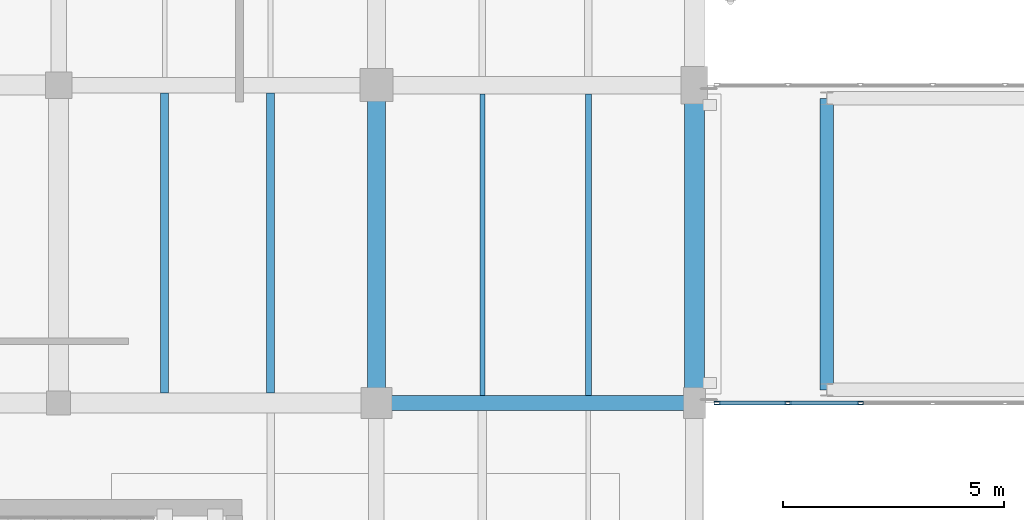
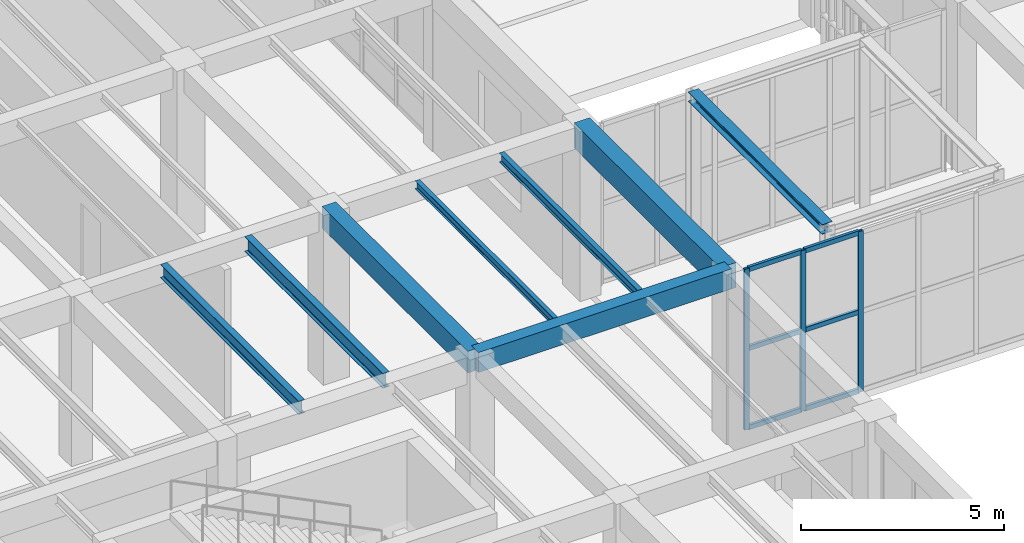
# One storey, part 22 of 169: 9 members, 8 beams, 1 element without a shape of its own.
"""IFC4 building model written with IfcOpenShell, lengths in metres."""

from ifc_helpers import new_model, si_unit, direction, frame, origin, origin_2d, place, context, subcontext, project, spatial, rectangle, hollow_rectangle, i_section, extrude, material, layer, layer_set, material_profile, profile_set, type_object, element, aggregate, save


model = new_model("IFC4")

# Units and contexts
model_context = context("Model", 3, precision=1e-05, world=origin(), true_north=direction((0.0, 1.0)))
body_context = subcontext(model_context, "Body", "Model", "MODEL_VIEW")
ifc_project = project(units=[si_unit("LENGTHUNIT", "METRE"), si_unit("AREAUNIT", "SQUARE_METRE"), si_unit("VOLUMEUNIT", "CUBIC_METRE"), si_unit("PLANEANGLEUNIT", "RADIAN"), si_unit("MASSUNIT", "GRAM", prefix="KILO")], contexts=[model_context])

# Site, building, storey
site_placement = place(None, origin())
site = spatial("IfcSite", under=ifc_project, at=site_placement, CompositionType="ELEMENT")
building_placement = place(site_placement, origin())
building = spatial("IfcBuilding", under=site, at=building_placement, Name="Mazaris Harbour Polytechnic", CompositionType="ELEMENT")
storey_placement = place(building_placement, origin())
storey = spatial("IfcBuildingStorey", under=building, at=storey_placement, Name="L00", CompositionType="ELEMENT", Elevation=0.0)

# Curtain wall, members
ifc_material_1 = material(Name="Anodised Bronze Aluminium and Low-E Glass", Category="aluminium")
ifc_layer = layer(ifc_material_1, 0.139892578125, Name="Anodised Bronze Aluminium and Low-E Glass")
ifc_layer_set = layer_set([ifc_layer], Name="Anodised Bronze Aluminium and Low-E Glass")
curtain_wall_type = type_object("IfcCurtainWallType", Name="Seismic Link Bridge Glazing", PredefinedType="NOTDEFINED", material=ifc_layer_set)
curtain_wall_placement = place(storey_placement, origin())
curtain_wall = element("IfcCurtainWall", 1, at=curtain_wall_placement, inside=storey, type_object=curtain_wall_type, Name="PB-W1 L00 Bridge Glazing", PredefinedType="NOTDEFINED")
ifc_material_2 = material(Name="Anodised Bronze Steel S355", Category="steel")
ifc_material_profile_1 = material_profile(ifc_material_2, hollow_rectangle(XDim=0.080078125, YDim=0.139892578125, WallThickness=0.00634765625, at=origin_2d()), Name="RHS 80x140x6.3")
ifc_profile_set_1 = profile_set([ifc_material_profile_1], Name="Anodised Bronze Steel S355")
member_type_1 = type_object("IfcMemberType", Name="Curtain Mullion RHS80x140", PredefinedType="MULLION", material=ifc_profile_set_1)
member_1_placement = place(storey_placement, frame((43.719970703125, 21.60009765625, 0.0), z_axis=(0.0, 0.0, 1.0), x_axis=(0.0, 1.0, 0.0)))
member_1 = element("IfcMember", 2, at=member_1_placement, type_object=member_type_1, Name="CW-05 mullion 1", PredefinedType="MULLION", context=body_context, shape_type="SweptSolid", body=[
    extrude(hollow_rectangle(XDim=0.080078125, YDim=0.139892578125, WallThickness=0.00634765625, at=origin_2d()), origin(), (0.0, 0.0, 1.0), 4.8349609375),
])
member_2_placement = place(storey_placement, frame((45.320068359375, 21.60009765625, 0.0), z_axis=(0.0, 0.0, 1.0), x_axis=(0.0, 1.0, 0.0)))
member_2 = element("IfcMember", 3, at=member_2_placement, type_object=member_type_1, Name="CW-05 mullion 2", PredefinedType="MULLION", context=body_context, shape_type="SweptSolid", body=[
    extrude(hollow_rectangle(XDim=0.080078125, YDim=0.139892578125, WallThickness=0.00634765625, at=origin_2d()), origin(), (0.0, 0.0, 1.0), 4.8349609375),
])
member_3_placement = place(storey_placement, frame((46.9599609375, 21.60009765625, 0.0), z_axis=(0.0, 0.0, 1.0), x_axis=(0.0, 1.0, 0.0)))
member_3 = element("IfcMember", 4, at=member_3_placement, type_object=member_type_1, Name="CW-05 mullion 3", PredefinedType="MULLION", context=body_context, shape_type="SweptSolid", body=[
    extrude(hollow_rectangle(XDim=0.080078125, YDim=0.139892578125, WallThickness=0.00634765625, at=origin_2d()), origin(), (0.0, 0.0, 1.0), 4.8349609375),
])
ifc_material_3 = material(Name="Anodised Bronze Steel S355", Category="steel")
ifc_material_profile_2 = material_profile(ifc_material_3, hollow_rectangle(XDim=0.080078125, YDim=0.139892578125, WallThickness=0.00634765625, at=origin_2d()), Name="RHS 80x140x6.3")
ifc_profile_set_2 = profile_set([ifc_material_profile_2], Name="Anodised Bronze Steel S355")
member_type_2 = type_object("IfcMemberType", Name="Curtain Transom RHS80x140", PredefinedType="USERDEFINED", material=ifc_profile_set_2)
member_4_placement = place(storey_placement, frame((43.760009765625, 21.60009765625, 0.0400390625), z_axis=(1.0, 0.0, 0.0), x_axis=(0.0, 1.0, 0.0)))
member_4 = element("IfcMember", 5, at=member_4_placement, type_object=member_type_2, Name="CW-05 transom 1.1", ObjectType="TRANSOM", PredefinedType="USERDEFINED", context=body_context, shape_type="SweptSolid", body=[
    extrude(hollow_rectangle(XDim=0.080078125, YDim=0.139892578125, WallThickness=0.00634765625, at=origin_2d()), origin(), (0.0, 0.0, 1.0), 1.52001953125),
])
member_5_placement = place(storey_placement, frame((43.760009765625, 21.60009765625, 2.41748046875), z_axis=(1.0, 0.0, 0.0), x_axis=(0.0, 1.0, 0.0)))
member_5 = element("IfcMember", 6, at=member_5_placement, type_object=member_type_2, Name="CW-05 transom 1.2", ObjectType="TRANSOM", PredefinedType="USERDEFINED", context=body_context, shape_type="SweptSolid", body=[
    extrude(hollow_rectangle(XDim=0.080078125, YDim=0.139892578125, WallThickness=0.00634765625, at=origin_2d()), origin(), (0.0, 0.0, 1.0), 1.52001953125),
])
member_6_placement = place(storey_placement, frame((43.760009765625, 21.60009765625, 4.794921875), z_axis=(1.0, 0.0, 0.0), x_axis=(0.0, 1.0, 0.0)))
member_6 = element("IfcMember", 7, at=member_6_placement, type_object=member_type_2, Name="CW-05 transom 1.3", ObjectType="TRANSOM", PredefinedType="USERDEFINED", context=body_context, shape_type="SweptSolid", body=[
    extrude(hollow_rectangle(XDim=0.080078125, YDim=0.139892578125, WallThickness=0.00634765625, at=origin_2d()), origin(), (0.0, 0.0, 1.0), 1.52001953125),
])
member_7_placement = place(storey_placement, frame((45.360107421875, 21.60009765625, 0.0400390625), z_axis=(1.0, 0.0, 0.0), x_axis=(0.0, 1.0, 0.0)))
member_7 = element("IfcMember", 8, at=member_7_placement, type_object=member_type_2, Name="CW-05 transom 2.1", ObjectType="TRANSOM", PredefinedType="USERDEFINED", context=body_context, shape_type="SweptSolid", body=[
    extrude(hollow_rectangle(XDim=0.080078125, YDim=0.139892578125, WallThickness=0.00634765625, at=origin_2d()), origin(), (0.0, 0.0, 1.0), 1.559814453125),
])
member_8_placement = place(storey_placement, frame((45.360107421875, 21.60009765625, 2.41748046875), z_axis=(1.0, 0.0, 0.0), x_axis=(0.0, 1.0, 0.0)))
member_8 = element("IfcMember", 9, at=member_8_placement, type_object=member_type_2, Name="CW-05 transom 2.2", ObjectType="TRANSOM", PredefinedType="USERDEFINED", context=body_context, shape_type="SweptSolid", body=[
    extrude(hollow_rectangle(XDim=0.080078125, YDim=0.139892578125, WallThickness=0.00634765625, at=origin_2d()), origin(), (0.0, 0.0, 1.0), 1.559814453125),
])
member_9_placement = place(storey_placement, frame((45.360107421875, 21.60009765625, 4.794921875), z_axis=(1.0, 0.0, 0.0), x_axis=(0.0, 1.0, 0.0)))
member_9 = element("IfcMember", 10, at=member_9_placement, type_object=member_type_2, Name="CW-05 transom 2.3", ObjectType="TRANSOM", PredefinedType="USERDEFINED", context=body_context, shape_type="SweptSolid", body=[
    extrude(hollow_rectangle(XDim=0.080078125, YDim=0.139892578125, WallThickness=0.00634765625, at=origin_2d()), origin(), (0.0, 0.0, 1.0), 1.559814453125),
])
aggregate(curtain_wall, [member_1, member_2, member_3, member_4, member_5, member_6, member_7, member_8, member_9])

# Beams
ifc_material_4 = material(Name="Concrete C35/45", Category="concrete")
ifc_material_profile_3 = material_profile(ifc_material_4, rectangle(XDim=0.35009765625, YDim=0.60009765625, at=origin_2d()), Name="RECT350x600")
ifc_profile_set_3 = profile_set([ifc_material_profile_3], Name="Concrete C35/45")
beam_type_1 = type_object("IfcBeamType", Name="RC Girder 350x600", PredefinedType="BEAM", material=ifc_profile_set_3)
beam_1_placement = place(storey_placement, frame((36.0, 21.60009765625, 4.800048828125), z_axis=(1.0, 0.0, 0.0), x_axis=(0.0, 1.0, 0.0)))
element("IfcBeam", 11, at=beam_1_placement, inside=storey, type_object=beam_type_1, Name="V4 L00 Girder 1370", PredefinedType="BEAM", context=body_context, shape_type="SweptSolid", body=[
    extrude(rectangle(XDim=0.35009765625, YDim=0.60009765625, at=origin_2d()), origin(), (0.0, 0.0, 1.0), 7.199951171875),
])
ifc_material_5 = material(Name="Concrete C35/45", Category="concrete")
ifc_material_profile_4 = material_profile(ifc_material_5, rectangle(XDim=0.39990234375, YDim=0.64990234375, at=origin_2d()), Name="RECT400x650")
ifc_profile_set_4 = profile_set([ifc_material_profile_4], Name="Concrete C35/45")
beam_type_2 = type_object("IfcBeamType", Name="RC Girder 400x650", PredefinedType="BEAM", material=ifc_profile_set_4)
beam_2_placement = place(storey_placement, frame((36.0, 21.60009765625, 4.77490234375), z_axis=(0.0, 1.0, 0.0), x_axis=(-1.0, 0.0, 0.0)))
element("IfcBeam", 12, at=beam_2_placement, inside=storey, type_object=beam_type_2, Name="V4 L00 Tie Girder 1481", PredefinedType="BEAM", context=body_context, shape_type="SweptSolid", body=[
    extrude(rectangle(XDim=0.39990234375, YDim=0.64990234375, at=origin_2d()), origin(), (0.0, 0.0, 1.0), 7.199951171875),
])
ifc_material_6 = material(Name="Concrete C40/50", Category="concrete")
ifc_material_profile_5 = material_profile(ifc_material_6, rectangle(XDim=0.449951171875, YDim=0.75, at=origin_2d()), Name="RECT450x750")
ifc_profile_set_5 = profile_set([ifc_material_profile_5], Name="Concrete C40/50")
beam_type_3 = type_object("IfcBeamType", Name="RC Girder 450x750 Exterior", PredefinedType="BEAM", material=ifc_profile_set_5)
beam_3_placement = place(storey_placement, frame((43.199951171875, 21.60009765625, 4.72509765625), z_axis=(0.0, 1.0, 0.0), x_axis=(-1.0, 0.0, 0.0)))
element("IfcBeam", 13, at=beam_3_placement, inside=storey, type_object=beam_type_3, Name="V4 L00 Tie Girder 1493", PredefinedType="BEAM", context=body_context, shape_type="SweptSolid", body=[
    extrude(rectangle(XDim=0.449951171875, YDim=0.75, at=origin_2d()), origin(), (0.0, 0.0, 1.0), 7.199951171875),
])
ifc_material_7 = material(Name="Steel S355", Category="steel")
ifc_material_profile_6 = material_profile(ifc_material_7, i_section(OverallWidth=0.300048828125, OverallDepth=0.2900390625, WebThickness=0.008544921875, FlangeThickness=0.013916015625, FilletRadius=0.027099609375, at=origin_2d()), Name="HEA 300")
ifc_profile_set_6 = profile_set([ifc_material_profile_6], Name="Steel S355")
beam_type_4 = type_object("IfcBeamType", Name="Steel Beam HEA300 Exterior", PredefinedType="SPANDREL", material=ifc_profile_set_6)
beam_4_placement = place(storey_placement, frame((46.199951171875, 21.89990234375, 4.989990234375), z_axis=(0.0, 1.0, 0.0), x_axis=(-1.0, 0.0, 0.0)))
element("IfcBeam", 14, at=beam_4_placement, inside=storey, type_object=beam_type_4, Name="PB-W1 L00 Bridge Beam 3404", PredefinedType="SPANDREL", context=body_context, shape_type="SweptSolid", body=[
    extrude(i_section(OverallWidth=0.300048828125, OverallDepth=0.2900390625, WebThickness=0.008544921875, FlangeThickness=0.013916015625, FilletRadius=0.027099609375, at=origin_2d()), origin(), (0.0, 0.0, 1.0), 6.60009765625),
])
ifc_material_8 = material(Name="Steel S355", Category="steel")
ifc_material_profile_7 = material_profile(ifc_material_8, i_section(OverallWidth=0.1201171875, OverallDepth=0.239990234375, WebThickness=0.006103515625, FlangeThickness=0.009765625, FilletRadius=0.014892578125, at=origin_2d()), Name="IPE 240")
ifc_profile_set_7 = profile_set([ifc_material_profile_7], Name="Steel S355")
beam_type_5 = type_object("IfcBeamType", Name="Steel Joist IPE240", PredefinedType="JOIST", material=ifc_profile_set_7)
beam_5_placement = place(storey_placement, frame((38.39990234375, 21.77490234375, 4.97998046875), z_axis=(0.0, 1.0, 0.0), x_axis=(-1.0, 0.0, 0.0)))
element("IfcBeam", 15, at=beam_5_placement, inside=storey, type_object=beam_type_5, Name="V4 L00 Floor Joist 1604", PredefinedType="JOIST", context=body_context, shape_type="SweptSolid", body=[
    extrude(i_section(OverallWidth=0.1201171875, OverallDepth=0.239990234375, WebThickness=0.006103515625, FlangeThickness=0.009765625, FilletRadius=0.014892578125, at=origin_2d()), origin(), (0.0, 0.0, 1.0), 6.8251953125),
])
ifc_material_9 = material(Name="Steel S355", Category="steel")
ifc_material_profile_8 = material_profile(ifc_material_9, i_section(OverallWidth=0.135009765625, OverallDepth=0.27001953125, WebThickness=0.006591796875, FlangeThickness=0.01025390625, FilletRadius=0.014892578125, at=origin_2d()), Name="IPE 270")
ifc_profile_set_8 = profile_set([ifc_material_profile_8], Name="Steel S355")
beam_type_6 = type_object("IfcBeamType", Name="Steel Joist IPE270", PredefinedType="JOIST", material=ifc_profile_set_8)
beam_6_placement = place(storey_placement, frame((40.800048828125, 21.77490234375, 4.965087890625), z_axis=(0.0, 1.0, 0.0), x_axis=(-1.0, 0.0, 0.0)))
element("IfcBeam", 16, at=beam_6_placement, inside=storey, type_object=beam_type_6, Name="V4 L00 Floor Joist 1605", PredefinedType="JOIST", context=body_context, shape_type="SweptSolid", body=[
    extrude(i_section(OverallWidth=0.135009765625, OverallDepth=0.27001953125, WebThickness=0.006591796875, FlangeThickness=0.01025390625, FilletRadius=0.014892578125, at=origin_2d()), origin(), (0.0, 0.0, 1.0), 6.8251953125),
])
ifc_material_10 = material(Name="Steel S355", Category="steel")
ifc_material_profile_9 = material_profile(ifc_material_10, i_section(OverallWidth=0.179931640625, OverallDepth=0.39990234375, WebThickness=0.008544921875, FlangeThickness=0.013427734375, FilletRadius=0.02099609375, at=origin_2d()), Name="IPE 400")
ifc_profile_set_9 = profile_set([ifc_material_profile_9], Name="Steel S355")
beam_type_7 = type_object("IfcBeamType", Name="Steel Joist IPE400", PredefinedType="JOIST", material=ifc_profile_set_9)
beam_7_placement = place(storey_placement, frame((31.199951171875, 21.824951171875, 4.89990234375), z_axis=(0.0, 1.0, 0.0), x_axis=(-1.0, 0.0, 0.0)))
element("IfcBeam", 17, at=beam_7_placement, inside=storey, type_object=beam_type_7, Name="V4 L00 Floor Joist 1580", PredefinedType="JOIST", context=body_context, shape_type="SweptSolid", body=[
    extrude(i_section(OverallWidth=0.179931640625, OverallDepth=0.39990234375, WebThickness=0.008544921875, FlangeThickness=0.013427734375, FilletRadius=0.02099609375, at=origin_2d()), origin(), (0.0, 0.0, 1.0), 6.800048828125),
])
ifc_material_11 = material(Name="Steel S355", Category="steel")
ifc_material_profile_10 = material_profile(ifc_material_11, i_section(OverallWidth=0.18994140625, OverallDepth=0.449951171875, WebThickness=0.009521484375, FlangeThickness=0.0146484375, FilletRadius=0.02099609375, at=origin_2d()), Name="IPE 450")
ifc_profile_set_10 = profile_set([ifc_material_profile_10], Name="Steel S355")
beam_type_8 = type_object("IfcBeamType", Name="Steel Joist IPE450", PredefinedType="JOIST", material=ifc_profile_set_10)
beam_8_placement = place(storey_placement, frame((33.60009765625, 21.824951171875, 4.875), z_axis=(0.0, 1.0, 0.0), x_axis=(-1.0, 0.0, 0.0)))
element("IfcBeam", 18, at=beam_8_placement, inside=storey, type_object=beam_type_8, Name="V4 L00 Floor Joist 1581", PredefinedType="JOIST", context=body_context, shape_type="SweptSolid", body=[
    extrude(i_section(OverallWidth=0.18994140625, OverallDepth=0.449951171875, WebThickness=0.009521484375, FlangeThickness=0.0146484375, FilletRadius=0.02099609375, at=origin_2d()), origin(), (0.0, 0.0, 1.0), 6.800048828125),
])

save(model, "model.ifc")
